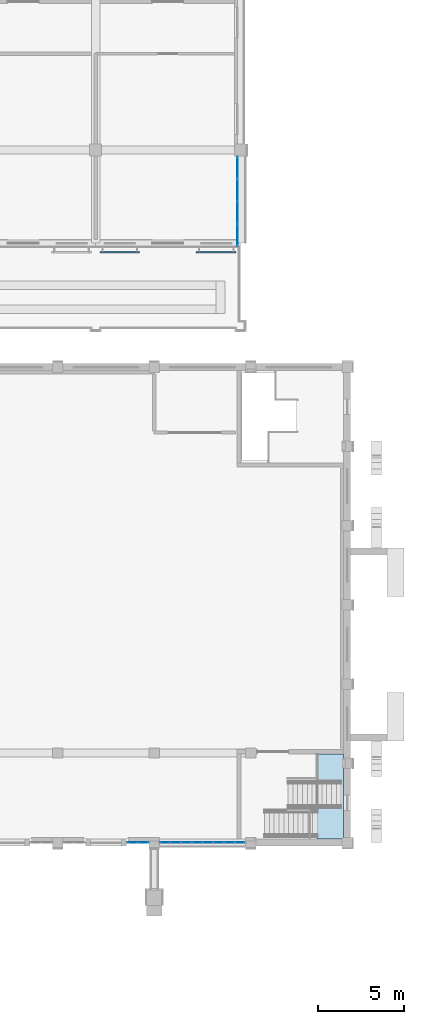
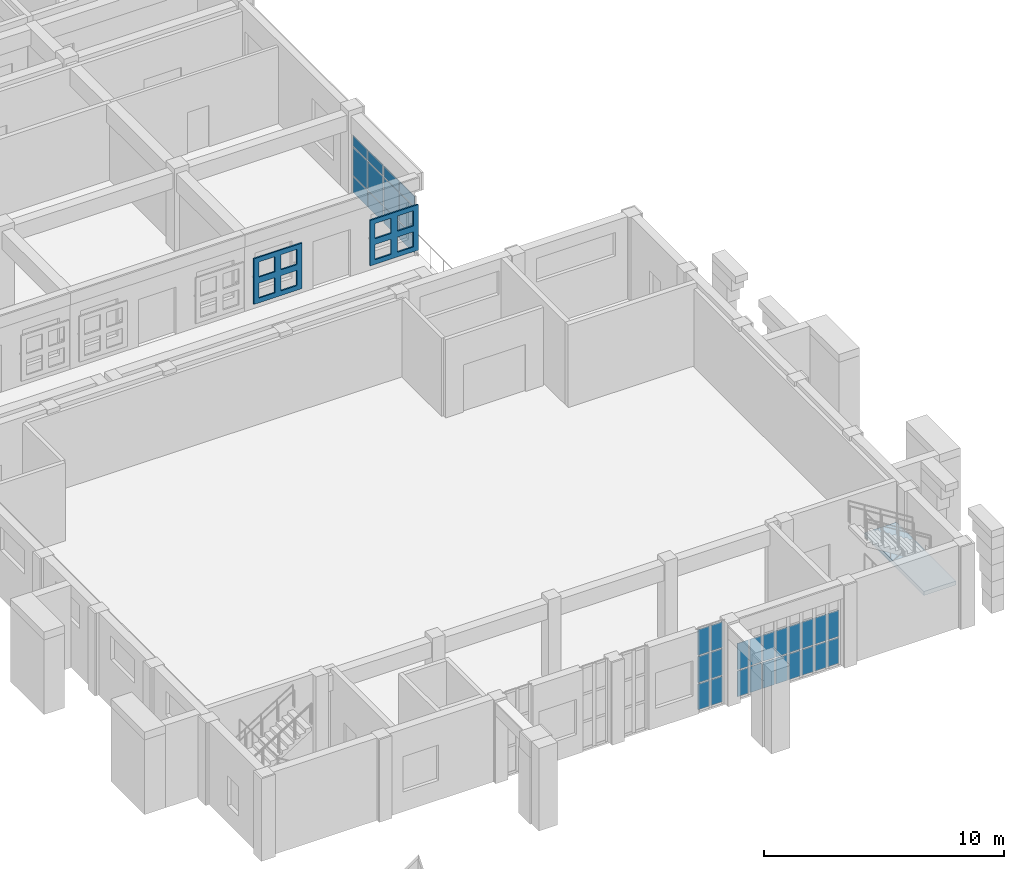
# One storey, part 51 of 99: 36 plates, 1 slab, 4 elements without a shape of their own.
"""IFC4 building model written with IfcOpenShell, lengths in metres."""

from ifc_helpers import new_model, si_unit, direction, frame, origin, origin_2d, place, context, subcontext, project, spatial, polyline, rectangle, outline, extrude, material, layer, layer_set, material_profile, profile_set, type_object, element, aggregate, save


model = new_model("IFC4")

# Units and contexts
model_context = context("Model", 3, precision=1e-05, world=origin(), true_north=direction((0.0, 1.0)))
body_context = subcontext(model_context, "Body", "Model", "MODEL_VIEW")
ifc_project = project(units=[si_unit("LENGTHUNIT", "METRE"), si_unit("AREAUNIT", "SQUARE_METRE"), si_unit("VOLUMEUNIT", "CUBIC_METRE"), si_unit("PLANEANGLEUNIT", "RADIAN"), si_unit("MASSUNIT", "GRAM", prefix="KILO")], contexts=[model_context])

# Site, building, storey
site_placement = place(None, origin())
site = spatial("IfcSite", under=ifc_project, at=site_placement, CompositionType="ELEMENT")
building_placement = place(site_placement, origin())
building = spatial("IfcBuilding", under=site, at=building_placement, Name="Wasatch Bagh Community Centre", CompositionType="ELEMENT")
storey_placement = place(building_placement, frame((0.0, 0.0, 4.199951171875)))
storey = spatial("IfcBuildingStorey", under=building, at=storey_placement, Name="L01", CompositionType="ELEMENT", Elevation=4.199951171875)

# Curtain wall, plates
ifc_material_1 = material(Name="Aluminium curtain wall frame with low-iron glass", Category="aluminium")
ifc_layer_1 = layer(ifc_material_1, 0.159912109375)
ifc_layer_set_1 = layer_set([ifc_layer_1], Name="Aluminium curtain wall frame with low-iron glass")
curtain_wall_type_1 = type_object("IfcCurtainWallType", Name="LW gable curtain wall 160", PredefinedType="NOTDEFINED", material=ifc_layer_set_1)
curtain_wall_1_placement = place(storey_placement, origin())
curtain_wall_1 = element("IfcCurtainWall", 1, at=curtain_wall_1_placement, inside=storey, type_object=curtain_wall_type_1, Name="Curtain wall 01.09", PredefinedType="NOTDEFINED")
ifc_material_2 = material(Name="Low-iron insulated glass", Category="glass")
ifc_layer_2 = layer(ifc_material_2, 0.028076171875)
ifc_layer_set_2 = layer_set([ifc_layer_2], Name="Low-iron insulated glass")
plate_type_1 = type_object("IfcPlateType", Name="LW curtain wall panel 28 LW-CW4", PredefinedType="CURTAIN_PANEL", material=ifc_layer_set_2)
plate_1_placement = place(storey_placement, frame((139.425048828125, 73.47119140625, 0.06005859375), z_axis=(0.0, 0.0, 1.0), x_axis=(0.0, 1.0, 0.0)))
plate_1 = element("IfcPlate", 2, at=plate_1_placement, type_object=plate_type_1, Name="LW-CW4 panel 1.1", PredefinedType="CURTAIN_PANEL", context=body_context, shape_type="SweptSolid", body=[
    extrude(rectangle(XDim=1.222412109375, YDim=0.028076171875, at=origin_2d()), origin(), (0.0, 0.0, 1.0), 0.81005859375),
])
plate_2_placement = place(storey_placement, frame((139.425048828125, 73.47119140625, 0.93017578125), z_axis=(0.0, 0.0, 1.0), x_axis=(0.0, 1.0, 0.0)))
plate_2 = element("IfcPlate", 3, at=plate_2_placement, type_object=plate_type_1, Name="LW-CW4 panel 1.2", PredefinedType="CURTAIN_PANEL", context=body_context, shape_type="SweptSolid", body=[
    extrude(rectangle(XDim=1.222412109375, YDim=0.028076171875, at=origin_2d()), origin(), (0.0, 0.0, 1.0), 1.43994140625),
])
plate_3_placement = place(storey_placement, frame((139.425048828125, 73.47119140625, 2.43017578125), z_axis=(0.0, 0.0, 1.0), x_axis=(0.0, 1.0, 0.0)))
plate_3 = element("IfcPlate", 4, at=plate_3_placement, type_object=plate_type_1, Name="LW-CW4 panel 1.3", PredefinedType="CURTAIN_PANEL", context=body_context, shape_type="SweptSolid", body=[
    extrude(rectangle(XDim=1.222412109375, YDim=0.028076171875, at=origin_2d()), origin(), (0.0, 0.0, 1.0), 0.530029296875),
])
plate_4_placement = place(storey_placement, frame((139.425048828125, 74.768798828125, 0.06005859375), z_axis=(0.0, 0.0, 1.0), x_axis=(0.0, 1.0, 0.0)))
plate_4 = element("IfcPlate", 5, at=plate_4_placement, type_object=plate_type_1, Name="LW-CW4 panel 2.1", PredefinedType="CURTAIN_PANEL", context=body_context, shape_type="SweptSolid", body=[
    extrude(rectangle(XDim=1.25244140625, YDim=0.028076171875, at=origin_2d()), origin(), (0.0, 0.0, 1.0), 0.81005859375),
])
plate_5_placement = place(storey_placement, frame((139.425048828125, 74.768798828125, 0.93017578125), z_axis=(0.0, 0.0, 1.0), x_axis=(0.0, 1.0, 0.0)))
plate_5 = element("IfcPlate", 6, at=plate_5_placement, type_object=plate_type_1, Name="LW-CW4 panel 2.2", PredefinedType="CURTAIN_PANEL", context=body_context, shape_type="SweptSolid", body=[
    extrude(rectangle(XDim=1.25244140625, YDim=0.028076171875, at=origin_2d()), origin(), (0.0, 0.0, 1.0), 1.43994140625),
])
plate_6_placement = place(storey_placement, frame((139.425048828125, 74.768798828125, 2.43017578125), z_axis=(0.0, 0.0, 1.0), x_axis=(0.0, 1.0, 0.0)))
plate_6 = element("IfcPlate", 7, at=plate_6_placement, type_object=plate_type_1, Name="LW-CW4 panel 2.3", PredefinedType="CURTAIN_PANEL", context=body_context, shape_type="SweptSolid", body=[
    extrude(rectangle(XDim=1.25244140625, YDim=0.028076171875, at=origin_2d()), origin(), (0.0, 0.0, 1.0), 0.530029296875),
])
plate_7_placement = place(storey_placement, frame((139.425048828125, 76.081298828125, 0.06005859375), z_axis=(0.0, 0.0, 1.0), x_axis=(0.0, 1.0, 0.0)))
plate_7 = element("IfcPlate", 8, at=plate_7_placement, type_object=plate_type_1, Name="LW-CW4 panel 3.1", PredefinedType="CURTAIN_PANEL", context=body_context, shape_type="SweptSolid", body=[
    extrude(rectangle(XDim=1.25244140625, YDim=0.028076171875, at=origin_2d()), origin(), (0.0, 0.0, 1.0), 0.81005859375),
])
plate_8_placement = place(storey_placement, frame((139.425048828125, 76.081298828125, 0.93017578125), z_axis=(0.0, 0.0, 1.0), x_axis=(0.0, 1.0, 0.0)))
plate_8 = element("IfcPlate", 9, at=plate_8_placement, type_object=plate_type_1, Name="LW-CW4 panel 3.2", PredefinedType="CURTAIN_PANEL", context=body_context, shape_type="SweptSolid", body=[
    extrude(rectangle(XDim=1.25244140625, YDim=0.028076171875, at=origin_2d()), origin(), (0.0, 0.0, 1.0), 1.43994140625),
])
plate_9_placement = place(storey_placement, frame((139.425048828125, 76.081298828125, 2.43017578125), z_axis=(0.0, 0.0, 1.0), x_axis=(0.0, 1.0, 0.0)))
plate_9 = element("IfcPlate", 10, at=plate_9_placement, type_object=plate_type_1, Name="LW-CW4 panel 3.3", PredefinedType="CURTAIN_PANEL", context=body_context, shape_type="SweptSolid", body=[
    extrude(rectangle(XDim=1.25244140625, YDim=0.028076171875, at=origin_2d()), origin(), (0.0, 0.0, 1.0), 0.530029296875),
])
plate_10_placement = place(storey_placement, frame((139.425048828125, 77.378662109375, 0.06005859375), z_axis=(0.0, 0.0, 1.0), x_axis=(0.0, 1.0, 0.0)))
plate_10 = element("IfcPlate", 11, at=plate_10_placement, type_object=plate_type_1, Name="LW-CW4 panel 4.1", PredefinedType="CURTAIN_PANEL", context=body_context, shape_type="SweptSolid", body=[
    extrude(rectangle(XDim=1.222412109375, YDim=0.028076171875, at=origin_2d()), origin(), (0.0, 0.0, 1.0), 0.81005859375),
])
plate_11_placement = place(storey_placement, frame((139.425048828125, 77.378662109375, 0.93017578125), z_axis=(0.0, 0.0, 1.0), x_axis=(0.0, 1.0, 0.0)))
plate_11 = element("IfcPlate", 12, at=plate_11_placement, type_object=plate_type_1, Name="LW-CW4 panel 4.2", PredefinedType="CURTAIN_PANEL", context=body_context, shape_type="SweptSolid", body=[
    extrude(rectangle(XDim=1.222412109375, YDim=0.028076171875, at=origin_2d()), origin(), (0.0, 0.0, 1.0), 1.43994140625),
])
plate_12_placement = place(storey_placement, frame((139.425048828125, 77.378662109375, 2.43017578125), z_axis=(0.0, 0.0, 1.0), x_axis=(0.0, 1.0, 0.0)))
plate_12 = element("IfcPlate", 13, at=plate_12_placement, type_object=plate_type_1, Name="LW-CW4 panel 4.3", PredefinedType="CURTAIN_PANEL", context=body_context, shape_type="SweptSolid", body=[
    extrude(rectangle(XDim=1.222412109375, YDim=0.028076171875, at=origin_2d()), origin(), (0.0, 0.0, 1.0), 0.530029296875),
])
aggregate(curtain_wall_1, [plate_1, plate_2, plate_3, plate_4, plate_5, plate_6, plate_7, plate_8, plate_9, plate_10, plate_11, plate_12])

# Plates
ifc_material_3 = material(Name="Precast concrete C40/50", Category="concrete")
ifc_material_profile = material_profile(ifc_material_3, outline(polyline([(-1.159912109375, -1.159912109375), (1.159912109375, -1.159912109375), (1.159912109375, 1.159912109375), (-1.159912109375, 1.159912109375), (-1.159912109375, -1.159912109375)]), holes=[polyline([(-0.919921875, -0.919921875), (-0.14990234375, -0.919921875), (-0.14990234375, -0.14990234375), (-0.919921875, -0.14990234375), (-0.919921875, -0.919921875)]), polyline([(-0.919921875, 0.14990234375), (-0.14990234375, 0.14990234375), (-0.14990234375, 0.919921875), (-0.919921875, 0.919921875), (-0.919921875, 0.14990234375)]), polyline([(0.14990234375, -0.919921875), (0.919921875, -0.919921875), (0.919921875, -0.14990234375), (0.14990234375, -0.14990234375), (0.14990234375, -0.919921875)]), polyline([(0.14990234375, 0.14990234375), (0.919921875, 0.14990234375), (0.919921875, 0.919921875), (0.14990234375, 0.919921875), (0.14990234375, 0.14990234375)])]), Name="Jali lattice")
ifc_profile_set = profile_set([ifc_material_profile], Name="Precast concrete C40/50")
plate_type_2 = type_object("IfcPlateType", Name="LW jali panel 2320x2320", PredefinedType="SHEET", material=ifc_profile_set)
for number, where, z_axis, x_axis, name in (
    (14, (132.60009765625, 72.5, 1.66015625), (0.0, -1.0, 0.0), (1.0, 0.0, 0.0), "Jali panel"),
    (15, (138.199951171875, 72.5, 1.66015625), (0.0, -1.0, 0.0), (1.0, 0.0, 0.0), "Jali panel"),
):
    element("IfcPlate", number, at=place(storey_placement, frame(where, z_axis=z_axis, x_axis=x_axis)), inside=storey, type_object=plate_type_2, Name=name, PredefinedType="SHEET", context=body_context, shape_type="SweptSolid", body=[
        extrude(outline(polyline([(-1.159912109375, -1.159912109375), (1.159912109375, -1.159912109375), (1.159912109375, 1.159912109375), (-1.159912109375, 1.159912109375), (-1.159912109375, -1.159912109375)]), holes=[polyline([(-0.919921875, -0.919921875), (-0.14990234375, -0.919921875), (-0.14990234375, -0.14990234375), (-0.919921875, -0.14990234375), (-0.919921875, -0.919921875)]), polyline([(-0.919921875, 0.14990234375), (-0.14990234375, 0.14990234375), (-0.14990234375, 0.919921875), (-0.919921875, 0.919921875), (-0.919921875, 0.14990234375)]), polyline([(0.14990234375, -0.919921875), (0.919921875, -0.919921875), (0.919921875, -0.14990234375), (0.14990234375, -0.14990234375), (0.14990234375, -0.919921875)]), polyline([(0.14990234375, 0.14990234375), (0.919921875, 0.14990234375), (0.919921875, 0.919921875), (0.14990234375, 0.919921875), (0.14990234375, 0.14990234375)])]), origin(), (0.0, 0.0, 1.0), 0.070068359375),
    ])

# Stair, slab
ifc_material_4 = material(Name="Concrete C35", Category="concrete")
stair_type = type_object("IfcStairType", Name="SH stair 1500", PredefinedType="HALF_TURN_STAIR", material=ifc_material_4)
stair_placement = place(storey_placement, origin())
stair = element("IfcStair", 16, at=stair_placement, inside=storey, type_object=stair_type, Name="ST2 stair", PredefinedType="HALF_TURN_STAIR")
ifc_layer_3 = layer(ifc_material_4, 0.199951171875)
ifc_layer_set_3 = layer_set([ifc_layer_3], Name="Concrete C35")
slab_type = type_object("IfcSlabType", Name="SH landing 200", PredefinedType="LANDING", material=ifc_layer_set_3)
slab_placement = place(storey_placement, frame((0.0, 0.0, 1.900146484375)))
slab = element("IfcSlab", 17, at=slab_placement, type_object=slab_type, Name="ST2 landing 1", PredefinedType="LANDING", context=body_context, shape_type="SweptSolid", body=[
    extrude(outline(polyline([(144.06005859375, 38.39990234375), (145.60009765625, 38.39990234375), (145.60009765625, 43.35009765625), (144.06005859375, 43.35009765625), (144.06005859375, 38.39990234375)])), origin(), (0.0, 0.0, 1.0), 0.199951171875),
])
aggregate(stair, [slab])

# Curtain wall, plates
ifc_material_5 = material(Name="Aluminium alloy 6063-T6", Category="aluminium")
ifc_layer_4 = layer(ifc_material_5, 0.10009765625)
ifc_layer_set_4 = layer_set([ifc_layer_4], Name="Aluminium alloy 6063-T6")
curtain_wall_type_2 = type_object("IfcCurtainWallType", Name="SH-CW1", PredefinedType="NOTDEFINED", material=ifc_layer_set_4)
curtain_wall_2_placement = place(storey_placement, origin())
curtain_wall_2 = element("IfcCurtainWall", 18, at=curtain_wall_2_placement, inside=storey, type_object=curtain_wall_type_2, Name="Curtain wall SH-CW1", PredefinedType="NOTDEFINED")
ifc_material_6 = material(Name="Laminated glass 8+8 mm", Category="glass")
ifc_layer_5 = layer(ifc_material_6, 0.028076171875)
ifc_layer_set_5 = layer_set([ifc_layer_5], Name="Laminated glass 8+8 mm")
plate_type_3 = type_object("IfcPlateType", Name="SH-CW1 panel", PredefinedType="CURTAIN_PANEL", material=ifc_layer_set_5)
plate_13_placement = place(storey_placement, frame((133.340087890625, 38.199951171875, 0.06005859375), z_axis=(0.0, 0.0, 1.0), x_axis=(1.0, 0.0, 0.0)))
plate_13 = element("IfcPlate", 19, at=plate_13_placement, type_object=plate_type_3, Name="SH-CW1 panel 1.1", PredefinedType="CURTAIN_PANEL", context=body_context, shape_type="SweptSolid", body=[
    extrude(rectangle(XDim=0.56005859375, YDim=0.028076171875, at=origin_2d()), origin(), (0.0, 0.0, 1.0), 1.31005859375),
])
plate_14_placement = place(storey_placement, frame((133.340087890625, 38.199951171875, 1.43017578125), z_axis=(0.0, 0.0, 1.0), x_axis=(1.0, 0.0, 0.0)))
plate_14 = element("IfcPlate", 20, at=plate_14_placement, type_object=plate_type_3, Name="SH-CW1 panel 1.2", PredefinedType="CURTAIN_PANEL", context=body_context, shape_type="SweptSolid", body=[
    extrude(rectangle(XDim=0.56005859375, YDim=0.028076171875, at=origin_2d()), origin(), (0.0, 0.0, 1.0), 1.340087890625),
])
plate_15_placement = place(storey_placement, frame((133.340087890625, 38.199951171875, 2.830078125), z_axis=(0.0, 0.0, 1.0), x_axis=(1.0, 0.0, 0.0)))
plate_15 = element("IfcPlate", 21, at=plate_15_placement, type_object=plate_type_3, Name="SH-CW1 panel 1.3", PredefinedType="CURTAIN_PANEL", context=body_context, shape_type="SweptSolid", body=[
    extrude(rectangle(XDim=0.56005859375, YDim=0.028076171875, at=origin_2d()), origin(), (0.0, 0.0, 1.0), 1.31005859375),
])
plate_16_placement = place(storey_placement, frame((133.9599609375, 38.199951171875, 0.06005859375), z_axis=(0.0, 0.0, 1.0), x_axis=(1.0, 0.0, 0.0)))
plate_16 = element("IfcPlate", 22, at=plate_16_placement, type_object=plate_type_3, Name="SH-CW1 panel 2.1", PredefinedType="CURTAIN_PANEL", context=body_context, shape_type="SweptSolid", body=[
    extrude(rectangle(XDim=0.56005859375, YDim=0.028076171875, at=origin_2d()), origin(), (0.0, 0.0, 1.0), 1.31005859375),
])
plate_17_placement = place(storey_placement, frame((133.9599609375, 38.199951171875, 1.43017578125), z_axis=(0.0, 0.0, 1.0), x_axis=(1.0, 0.0, 0.0)))
plate_17 = element("IfcPlate", 23, at=plate_17_placement, type_object=plate_type_3, Name="SH-CW1 panel 2.2", PredefinedType="CURTAIN_PANEL", context=body_context, shape_type="SweptSolid", body=[
    extrude(rectangle(XDim=0.56005859375, YDim=0.028076171875, at=origin_2d()), origin(), (0.0, 0.0, 1.0), 1.340087890625),
])
plate_18_placement = place(storey_placement, frame((133.9599609375, 38.199951171875, 2.830078125), z_axis=(0.0, 0.0, 1.0), x_axis=(1.0, 0.0, 0.0)))
plate_18 = element("IfcPlate", 24, at=plate_18_placement, type_object=plate_type_3, Name="SH-CW1 panel 2.3", PredefinedType="CURTAIN_PANEL", context=body_context, shape_type="SweptSolid", body=[
    extrude(rectangle(XDim=0.56005859375, YDim=0.028076171875, at=origin_2d()), origin(), (0.0, 0.0, 1.0), 1.31005859375),
])
aggregate(curtain_wall_2, [plate_13, plate_14, plate_15, plate_16, plate_17, plate_18])

curtain_wall_3_placement = place(storey_placement, origin())
curtain_wall_3 = element("IfcCurtainWall", 25, at=curtain_wall_3_placement, inside=storey, type_object=curtain_wall_type_2, Name="Curtain wall SH-CW1", PredefinedType="NOTDEFINED")
plate_19_placement = place(storey_placement, frame((135.2275390625, 38.199951171875, 0.06005859375), z_axis=(0.0, 0.0, 1.0), x_axis=(1.0, 0.0, 0.0)))
plate_19 = element("IfcPlate", 26, at=plate_19_placement, type_object=plate_type_3, Name="SH-CW1 panel 1.1", PredefinedType="CURTAIN_PANEL", context=body_context, shape_type="SweptSolid", body=[
    extrude(rectangle(XDim=0.534912109375, YDim=0.028076171875, at=origin_2d()), origin(), (0.0, 0.0, 1.0), 1.31005859375),
])
plate_20_placement = place(storey_placement, frame((135.2275390625, 38.199951171875, 1.43017578125), z_axis=(0.0, 0.0, 1.0), x_axis=(1.0, 0.0, 0.0)))
plate_20 = element("IfcPlate", 27, at=plate_20_placement, type_object=plate_type_3, Name="SH-CW1 panel 1.2", PredefinedType="CURTAIN_PANEL", context=body_context, shape_type="SweptSolid", body=[
    extrude(rectangle(XDim=0.534912109375, YDim=0.028076171875, at=origin_2d()), origin(), (0.0, 0.0, 1.0), 1.340087890625),
])
plate_21_placement = place(storey_placement, frame((135.83740234375, 38.199951171875, 0.06005859375), z_axis=(0.0, 0.0, 1.0), x_axis=(1.0, 0.0, 0.0)))
plate_21 = element("IfcPlate", 28, at=plate_21_placement, type_object=plate_type_3, Name="SH-CW1 panel 2.1", PredefinedType="CURTAIN_PANEL", context=body_context, shape_type="SweptSolid", body=[
    extrude(rectangle(XDim=0.56494140625, YDim=0.028076171875, at=origin_2d()), origin(), (0.0, 0.0, 1.0), 1.31005859375),
])
plate_22_placement = place(storey_placement, frame((135.83740234375, 38.199951171875, 1.43017578125), z_axis=(0.0, 0.0, 1.0), x_axis=(1.0, 0.0, 0.0)))
plate_22 = element("IfcPlate", 29, at=plate_22_placement, type_object=plate_type_3, Name="SH-CW1 panel 2.2", PredefinedType="CURTAIN_PANEL", context=body_context, shape_type="SweptSolid", body=[
    extrude(rectangle(XDim=0.56494140625, YDim=0.028076171875, at=origin_2d()), origin(), (0.0, 0.0, 1.0), 1.340087890625),
])
plate_23_placement = place(storey_placement, frame((136.46240234375, 38.199951171875, 0.06005859375), z_axis=(0.0, 0.0, 1.0), x_axis=(1.0, 0.0, 0.0)))
plate_23 = element("IfcPlate", 30, at=plate_23_placement, type_object=plate_type_3, Name="SH-CW1 panel 3.1", PredefinedType="CURTAIN_PANEL", context=body_context, shape_type="SweptSolid", body=[
    extrude(rectangle(XDim=0.56494140625, YDim=0.028076171875, at=origin_2d()), origin(), (0.0, 0.0, 1.0), 1.31005859375),
])
plate_24_placement = place(storey_placement, frame((136.46240234375, 38.199951171875, 1.43017578125), z_axis=(0.0, 0.0, 1.0), x_axis=(1.0, 0.0, 0.0)))
plate_24 = element("IfcPlate", 31, at=plate_24_placement, type_object=plate_type_3, Name="SH-CW1 panel 3.2", PredefinedType="CURTAIN_PANEL", context=body_context, shape_type="SweptSolid", body=[
    extrude(rectangle(XDim=0.56494140625, YDim=0.028076171875, at=origin_2d()), origin(), (0.0, 0.0, 1.0), 1.340087890625),
])
plate_25_placement = place(storey_placement, frame((137.08740234375, 38.199951171875, 0.06005859375), z_axis=(0.0, 0.0, 1.0), x_axis=(1.0, 0.0, 0.0)))
plate_25 = element("IfcPlate", 32, at=plate_25_placement, type_object=plate_type_3, Name="SH-CW1 panel 4.1", PredefinedType="CURTAIN_PANEL", context=body_context, shape_type="SweptSolid", body=[
    extrude(rectangle(XDim=0.56494140625, YDim=0.028076171875, at=origin_2d()), origin(), (0.0, 0.0, 1.0), 1.31005859375),
])
plate_26_placement = place(storey_placement, frame((137.08740234375, 38.199951171875, 1.43017578125), z_axis=(0.0, 0.0, 1.0), x_axis=(1.0, 0.0, 0.0)))
plate_26 = element("IfcPlate", 33, at=plate_26_placement, type_object=plate_type_3, Name="SH-CW1 panel 4.2", PredefinedType="CURTAIN_PANEL", context=body_context, shape_type="SweptSolid", body=[
    extrude(rectangle(XDim=0.56494140625, YDim=0.028076171875, at=origin_2d()), origin(), (0.0, 0.0, 1.0), 1.340087890625),
])
plate_27_placement = place(storey_placement, frame((137.71240234375, 38.199951171875, 0.06005859375), z_axis=(0.0, 0.0, 1.0), x_axis=(1.0, 0.0, 0.0)))
plate_27 = element("IfcPlate", 34, at=plate_27_placement, type_object=plate_type_3, Name="SH-CW1 panel 5.1", PredefinedType="CURTAIN_PANEL", context=body_context, shape_type="SweptSolid", body=[
    extrude(rectangle(XDim=0.56494140625, YDim=0.028076171875, at=origin_2d()), origin(), (0.0, 0.0, 1.0), 1.31005859375),
])
plate_28_placement = place(storey_placement, frame((137.71240234375, 38.199951171875, 1.43017578125), z_axis=(0.0, 0.0, 1.0), x_axis=(1.0, 0.0, 0.0)))
plate_28 = element("IfcPlate", 35, at=plate_28_placement, type_object=plate_type_3, Name="SH-CW1 panel 5.2", PredefinedType="CURTAIN_PANEL", context=body_context, shape_type="SweptSolid", body=[
    extrude(rectangle(XDim=0.56494140625, YDim=0.028076171875, at=origin_2d()), origin(), (0.0, 0.0, 1.0), 1.340087890625),
])
plate_29_placement = place(storey_placement, frame((138.33740234375, 38.199951171875, 0.06005859375), z_axis=(0.0, 0.0, 1.0), x_axis=(1.0, 0.0, 0.0)))
plate_29 = element("IfcPlate", 36, at=plate_29_placement, type_object=plate_type_3, Name="SH-CW1 panel 6.1", PredefinedType="CURTAIN_PANEL", context=body_context, shape_type="SweptSolid", body=[
    extrude(rectangle(XDim=0.56494140625, YDim=0.028076171875, at=origin_2d()), origin(), (0.0, 0.0, 1.0), 1.31005859375),
])
plate_30_placement = place(storey_placement, frame((138.33740234375, 38.199951171875, 1.43017578125), z_axis=(0.0, 0.0, 1.0), x_axis=(1.0, 0.0, 0.0)))
plate_30 = element("IfcPlate", 37, at=plate_30_placement, type_object=plate_type_3, Name="SH-CW1 panel 6.2", PredefinedType="CURTAIN_PANEL", context=body_context, shape_type="SweptSolid", body=[
    extrude(rectangle(XDim=0.56494140625, YDim=0.028076171875, at=origin_2d()), origin(), (0.0, 0.0, 1.0), 1.340087890625),
])
plate_31_placement = place(storey_placement, frame((138.96240234375, 38.199951171875, 0.06005859375), z_axis=(0.0, 0.0, 1.0), x_axis=(1.0, 0.0, 0.0)))
plate_31 = element("IfcPlate", 38, at=plate_31_placement, type_object=plate_type_3, Name="SH-CW1 panel 7.1", PredefinedType="CURTAIN_PANEL", context=body_context, shape_type="SweptSolid", body=[
    extrude(rectangle(XDim=0.56494140625, YDim=0.028076171875, at=origin_2d()), origin(), (0.0, 0.0, 1.0), 1.31005859375),
])
plate_32_placement = place(storey_placement, frame((138.96240234375, 38.199951171875, 1.43017578125), z_axis=(0.0, 0.0, 1.0), x_axis=(1.0, 0.0, 0.0)))
plate_32 = element("IfcPlate", 39, at=plate_32_placement, type_object=plate_type_3, Name="SH-CW1 panel 7.2", PredefinedType="CURTAIN_PANEL", context=body_context, shape_type="SweptSolid", body=[
    extrude(rectangle(XDim=0.56494140625, YDim=0.028076171875, at=origin_2d()), origin(), (0.0, 0.0, 1.0), 1.340087890625),
])
plate_33_placement = place(storey_placement, frame((139.572509765625, 38.199951171875, 0.06005859375), z_axis=(0.0, 0.0, 1.0), x_axis=(1.0, 0.0, 0.0)))
plate_33 = element("IfcPlate", 40, at=plate_33_placement, type_object=plate_type_3, Name="SH-CW1 panel 8.1", PredefinedType="CURTAIN_PANEL", context=body_context, shape_type="SweptSolid", body=[
    extrude(rectangle(XDim=0.534912109375, YDim=0.028076171875, at=origin_2d()), origin(), (0.0, 0.0, 1.0), 1.31005859375),
])
plate_34_placement = place(storey_placement, frame((139.572509765625, 38.199951171875, 1.43017578125), z_axis=(0.0, 0.0, 1.0), x_axis=(1.0, 0.0, 0.0)))
plate_34 = element("IfcPlate", 41, at=plate_34_placement, type_object=plate_type_3, Name="SH-CW1 panel 8.2", PredefinedType="CURTAIN_PANEL", context=body_context, shape_type="SweptSolid", body=[
    extrude(rectangle(XDim=0.534912109375, YDim=0.028076171875, at=origin_2d()), origin(), (0.0, 0.0, 1.0), 1.340087890625),
])
aggregate(curtain_wall_3, [plate_19, plate_20, plate_21, plate_22, plate_23, plate_24, plate_25, plate_26, plate_27, plate_28, plate_29, plate_30, plate_31, plate_32, plate_33, plate_34])

save(model, "model.ifc")
